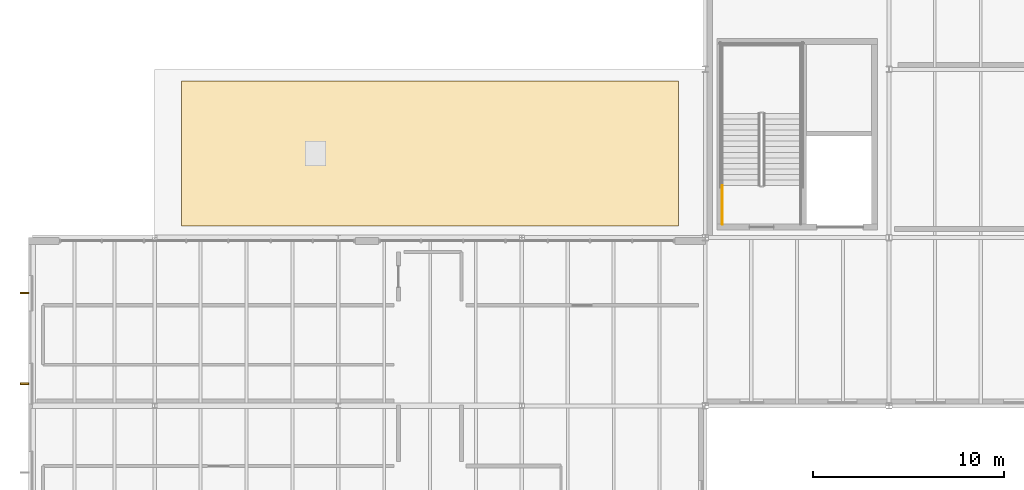
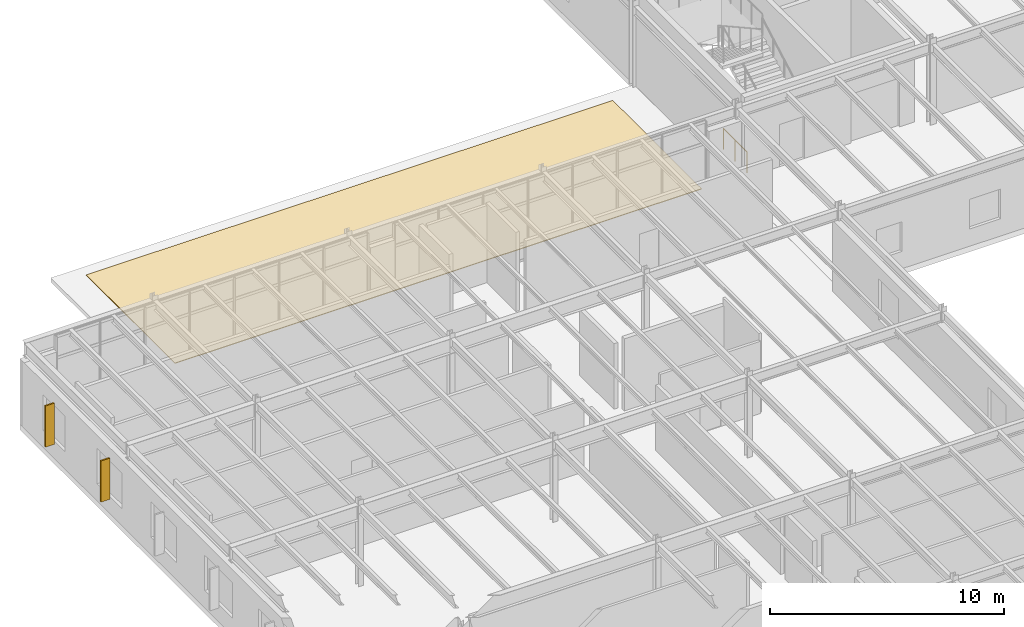
# One storey, part 64 of 69: 2 shading devices, 1 covering, 1 railing.
"""IFC4 building model written with IfcOpenShell, lengths in metres."""

from ifc_helpers import new_model, si_unit, direction, frame, origin, origin_2d, place, context, subcontext, project, spatial, rectangle, circle, extrude, material, layer, layer_set, type_object, element, save


model = new_model("IFC4")

# Units and contexts
model_context = context("Model", 3, precision=1e-05, world=origin(), true_north=direction((0.0, 1.0)))
body_context = subcontext(model_context, "Body", "Model", "MODEL_VIEW")
ifc_project = project(units=[si_unit("LENGTHUNIT", "METRE"), si_unit("AREAUNIT", "SQUARE_METRE"), si_unit("VOLUMEUNIT", "CUBIC_METRE"), si_unit("PLANEANGLEUNIT", "RADIAN"), si_unit("MASSUNIT", "GRAM", prefix="KILO")], contexts=[model_context])

# Site, building, storey
site_placement = place(None, origin())
site = spatial("IfcSite", under=ifc_project, at=site_placement, CompositionType="ELEMENT")
building_placement = place(site_placement, origin())
building = spatial("IfcBuilding", under=site, at=building_placement, Name="Sarnbrook Museum", CompositionType="ELEMENT")
storey_placement = place(building_placement, frame((0.0, 0.0, 14.60009765625)))
storey = spatial("IfcBuildingStorey", under=building, at=storey_placement, Name="L03", CompositionType="ELEMENT", Elevation=14.60009765625)

# Railing
ifc_material_1 = material(Name="Brushed Stainless Steel Grade 316", Category="steel")
ifc_layer_1 = layer(ifc_material_1, 0.050048828125)
ifc_layer_set_1 = layer_set([ifc_layer_1], Name="Brushed Stainless Steel Grade 316")
railing_type = type_object("IfcRailingType", Name="Guard_Int1120", PredefinedType="BALUSTRADE", material=ifc_layer_set_1)
railing_placement = place(storey_placement, frame((43.2900390625, 83.89990234375, 0.0)))
element("IfcRailing", 1, at=railing_placement, inside=storey, type_object=railing_type, Name="L03 ST6 stair guard 9", PredefinedType="BALUSTRADE", context=body_context, shape_type="SweptSolid", body=[
    extrude(circle(Radius=0.02392578125, at=origin_2d()), frame((0.0, 0.0, 1.09619140625), z_axis=(0.0, 1.0, 0.0), x_axis=(-1.0, 0.0, 0.0)), (0.0, 0.0, 1.0), 2.02001953125),
    extrude(circle(Radius=0.02099609375, at=origin_2d()), origin(), (0.0, 0.0, 1.0), 1.072021484375),
    extrude(circle(Radius=0.02099609375, at=origin_2d()), frame((0.0, 1.010009765625, 0.0)), (0.0, 0.0, 1.0), 1.072021484375),
    extrude(circle(Radius=0.02099609375, at=origin_2d()), frame((0.0, 2.02001953125, 0.0)), (0.0, 0.0, 1.0), 1.072021484375),
])

# Covering
ifc_material_2 = material(Name="Standing-Seam Titanium Zinc Roofing")
ifc_layer_2 = layer(ifc_material_2, 0.034912109375)
ifc_layer_set_2 = layer_set([ifc_layer_2], Name="Standing-Seam Titanium Zinc Roofing")
covering_type = type_object("IfcCoveringType", Name="Roofing_StandingSeamZinc", PredefinedType="ROOFING", material=ifc_layer_set_2)
covering_placement = place(storey_placement, frame((28.0, 87.60009765625, 0.0), z_axis=(0.0, 0.0, 1.0), x_axis=(1.0, 0.0, 0.0)))
element("IfcCovering", 2, at=covering_placement, inside=storey, type_object=covering_type, Name="Standing-Seam Zinc Roof Covering ZC-4", PredefinedType="ROOFING", context=body_context, shape_type="SweptSolid", body=[
    extrude(rectangle(XDim=26.0, YDim=7.60009765625, at=origin_2d()), origin(), (0.0, 0.0, 1.0), 0.034912109375),
])

# Shading devices
ifc_material_3 = material(Name="Patinated Architectural Bronze")
shading_device_type = type_object("IfcShadingDeviceType", Name="SunFin_VerticalBronze", PredefinedType="USERDEFINED", material=ifc_material_3)
for number, where, z_axis, x_axis, name in (
    (3, (6.780029296875, 80.2890625, 0.75), (0.0, 0.0, 1.0), (1.0, 0.0, 0.0), "Vertical Bronze Sun-Shading Fin SF-012"),
    (4, (6.780029296875, 75.553955078125, 0.75), (0.0, 0.0, 1.0), (1.0, 0.0, 0.0), "Vertical Bronze Sun-Shading Fin SF-013"),
):
    element("IfcShadingDevice", number, at=place(storey_placement, frame(where, z_axis=z_axis, x_axis=x_axis)), inside=storey, type_object=shading_device_type, Name=name, ObjectType="FIN", PredefinedType="USERDEFINED", context=body_context, shape_type="SweptSolid", body=[
        extrude(rectangle(XDim=0.449951171875, YDim=0.080078125, at=origin_2d()), origin(), (0.0, 0.0, 1.0), 2.14990234375),
    ])

save(model, "model.ifc")
